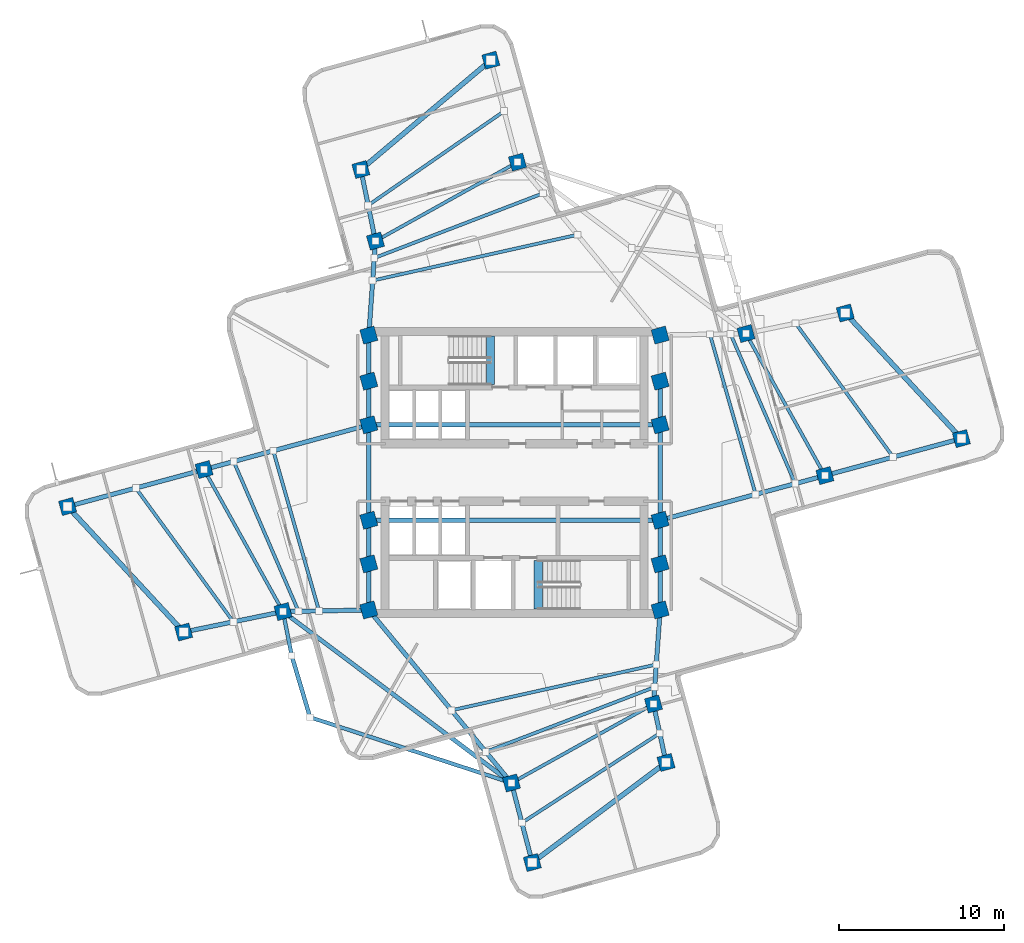
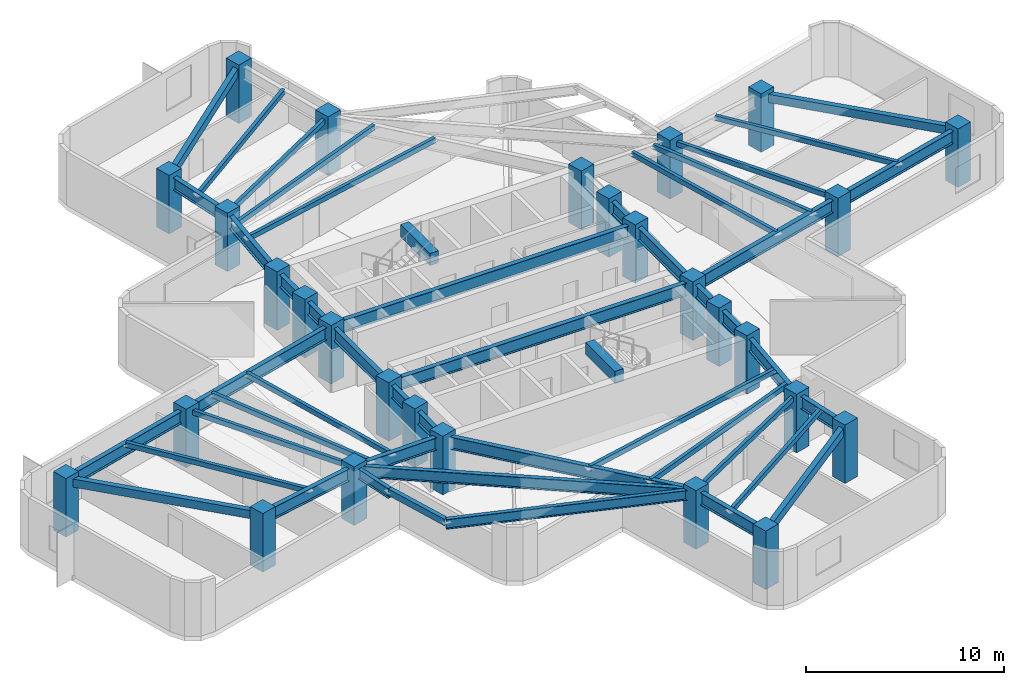
# One storey, part 1 of 8: 49 beams, 28 columns.
"""IFC4 building model written with IfcOpenShell, lengths in metres."""

import ifcopenshell
import ifcopenshell.guid

model = None  # the IFC model being written
_history = None  # IfcOwnerHistory: only IFC2X3 demands one
_inside = {}  # id of a spatial element -> (the spatial element, [elements in it])
_under = {}  # id of a project, library or spatial element -> (it, [spatial elements below it])
_declared = {}  # id of a project -> (the project, [libraries it declares])
_typed = {}  # id of a type object -> (the type object, [elements of that type])
_made_of = {}  # id of a material, layer set ... -> (it, [elements and type objects made of it])


def new_model(schema):
    """Start an empty IFC model of exactly this schema.

    Asked for "IFC4X3", IfcOpenShell would pick the latest addendum, in which some entities
    have other attributes; the version numbers below select the first issue.
    IFC2X3 requires an IfcOwnerHistory on every rooted entity: one is made here for all.
    """
    global model, _history
    if schema == "IFC4X3":
        model = ifcopenshell.file(schema_version=(4, 3, 0, 0))
    else:
        model = ifcopenshell.file(schema=schema)
    _inside.clear()
    _under.clear()
    _declared.clear()
    _typed.clear()
    _made_of.clear()
    _history = None
    if model.schema == "IFC2X3":
        org = make("IfcOrganization", Name="unknown")
        user = make(
            "IfcPersonAndOrganization",
            ThePerson=make("IfcPerson", FamilyName="unknown"),
            TheOrganization=org,
        )
        app = make(
            "IfcApplication",
            ApplicationDeveloper=org,
            Version="unknown",
            ApplicationFullName="unknown",
            ApplicationIdentifier="unknown",
        )
        _history = make(
            "IfcOwnerHistory",
            OwningUser=user,
            OwningApplication=app,
            ChangeAction="ADDED",
            CreationDate=0,
        )
    return model


def make(cls, **values):
    """One entity of the class cls with the attributes given. An attribute that is None is left unset."""
    return model.create_entity(
        cls, **{name: value for name, value in values.items() if value is not None}
    )


def rooted(cls, **values):
    """An entity with a GlobalId (a new one), such as an element, a storey or a relation."""
    return make(cls, GlobalId=ifcopenshell.guid.new(), OwnerHistory=_history, **values)


def si_unit(unit_type, name, prefix=None):
    """IfcSIUnit, for example si_unit("LENGTHUNIT", "METRE", prefix="MILLI")."""
    return make("IfcSIUnit", UnitType=unit_type, Prefix=prefix, Name=name)


def assignment(units):
    """IfcUnitAssignment: the units of a project."""
    return None if units is None else make("IfcUnitAssignment", Units=units)


def point(xyz):
    """IfcCartesianPoint."""
    return None if xyz is None else make("IfcCartesianPoint", Coordinates=xyz)


def direction(xyz):
    """IfcDirection."""
    return None if xyz is None else make("IfcDirection", DirectionRatios=xyz)


def frame(location, z_axis=None, x_axis=None):
    """IfcAxis2Placement3D, a coordinate frame: its origin and axes. An axis left out is left unset."""
    return make(
        "IfcAxis2Placement3D",
        Location=point(location),
        Axis=direction(z_axis),
        RefDirection=direction(x_axis),
    )


def frame_2d(location, x_axis=None):
    """IfcAxis2Placement2D, a coordinate frame in the plane: its origin and x axis."""
    return make(
        "IfcAxis2Placement2D", Location=point(location), RefDirection=direction(x_axis)
    )


def origin():
    """The frame at (0, 0, 0) with its axes left unset."""
    return frame((0.0, 0.0, 0.0))


def origin_2d():
    """The frame at (0, 0) in the plane with its x axis left unset."""
    return frame_2d((0.0, 0.0))


def place(relative_to, where):
    """IfcLocalPlacement: puts the frame where relative to a parent placement (None: the world)."""
    return make(
        "IfcLocalPlacement", PlacementRelTo=relative_to, RelativePlacement=where
    )


def context(
    kind, dimensions, precision=None, world=None, true_north=None, identifier=None
):
    """IfcGeometricRepresentationContext, for example the 3D "Model" context."""
    return make(
        "IfcGeometricRepresentationContext",
        ContextIdentifier=identifier,
        ContextType=kind,
        CoordinateSpaceDimension=dimensions,
        Precision=precision,
        WorldCoordinateSystem=world,
        TrueNorth=true_north,
    )


def subcontext(parent, identifier, kind, view, scale=None):
    """IfcGeometricRepresentationSubContext, for example "Body" below "Model"."""
    return make(
        "IfcGeometricRepresentationSubContext",
        ContextIdentifier=identifier,
        ContextType=kind,
        ParentContext=parent,
        TargetScale=scale,
        TargetView=view,
    )


def project(units=None, contexts=None):
    """IfcProject with its units and contexts."""
    return rooted(
        "IfcProject",
        Name="project",
        RepresentationContexts=contexts,
        UnitsInContext=assignment(units),
    )


def spatial(cls, under=None, at=None, **own):
    """A site, building, storey or space (cls), placed at a placement, below another one or the project."""
    s = rooted(cls, ObjectPlacement=at, **own)
    if under is not None:
        _under.setdefault(under.id(), (under, []))[1].append(s)
    return s


def profile(cls, at=None, kind="AREA", **sizes):
    """A parametric profile (cls). Its sizes go by their IFC names, for example OverallWidth=200.0."""
    return make(cls, ProfileType=kind, Position=at, **sizes)


def rectangle(**sizes):
    """IfcRectangleProfileDef."""
    return profile("IfcRectangleProfileDef", **sizes)


def hollow_rectangle(**sizes):
    """IfcRectangleHollowProfileDef."""
    return profile("IfcRectangleHollowProfileDef", **sizes)


def i_section(**sizes):
    """IfcIShapeProfileDef."""
    return profile("IfcIShapeProfileDef", **sizes)


def extrude(swept, where, along, depth):
    """IfcExtrudedAreaSolid: the profile swept, set in the frame where, extruded along a direction by depth."""
    return make(
        "IfcExtrudedAreaSolid",
        SweptArea=swept,
        Position=where,
        ExtrudedDirection=direction(along),
        Depth=depth,
    )


def shape(context_of_items, identifier, shape_type, items):
    """IfcShapeRepresentation: the items that make up one representation, for example the "Body"."""
    return make(
        "IfcShapeRepresentation",
        ContextOfItems=context_of_items,
        RepresentationIdentifier=identifier,
        RepresentationType=shape_type,
        Items=items,
    )


def material(Name=None, Category=None):
    """IfcMaterial."""
    return make("IfcMaterial", Name=Name, Category=Category)


def material_profile(
    of_material, cross_section, Name=None, Category=None, Priority=None
):
    """IfcMaterialProfile: a cross section and its material."""
    return make(
        "IfcMaterialProfile",
        Name=Name,
        Material=of_material,
        Profile=cross_section,
        Priority=Priority,
        Category=Category,
    )


def profile_set(profiles, Name=None, composite=None):
    """IfcMaterialProfileSet."""
    return make(
        "IfcMaterialProfileSet",
        Name=Name,
        MaterialProfiles=profiles,
        CompositeProfile=composite,
    )


def made_of(thing, what):
    """Note that an element or type object is made of a material, layer set ...; save() writes the relation."""
    if what is not None:
        _made_of.setdefault(what.id(), (what, []))[1].append(thing)
    return thing


def type_object(cls, material=None, **own):
    """A type object (cls), such as IfcWallType, which elements share."""
    return made_of(rooted(cls, **own), material)


def element(
    cls,
    number,
    at=None,
    inside=None,
    cuts=None,
    type_object=None,
    material=None,
    context=None,
    identifier="Body",
    shape_type=None,
    held_by="IfcProductDefinitionShape",
    body=None,
    shapes=None,
    **own,
):
    """One element of the class cls, such as IfcWall. Its Tag is "e" and its number.

    at: its placement. inside: the storey or other place that contains it. cuts: it is an
    opening in that element (IfcRelVoidsElement). A single representation is given by context,
    identifier, shape_type and body (its items); several are given by shapes. held_by: the class
    of the entity that holds the representations. save() writes the other relations.
    """
    e = rooted(cls, Tag="e%d" % number, ObjectPlacement=at, **own)
    if body is not None:
        shapes = [shape(context, identifier, shape_type, body)]
    if shapes is not None:
        e.Representation = make(held_by, Representations=shapes)
    if inside is not None:
        _inside.setdefault(inside.id(), (inside, []))[1].append(e)
    if cuts is not None:
        rooted(
            "IfcRelVoidsElement", RelatingBuildingElement=cuts, RelatedOpeningElement=e
        )
    if type_object is not None:
        _typed.setdefault(type_object.id(), (type_object, []))[1].append(e)
    return made_of(e, material)


def aggregate(whole, parts):
    """IfcRelAggregates: a whole, such as a stair, and the parts it consists of."""
    return rooted("IfcRelAggregates", RelatingObject=whole, RelatedObjects=parts)


def save(model, path):
    """Write the relations noted so far, then the file.

    IfcRelAggregates (storeys below a building ...), IfcRelContainedInSpatialStructure (elements
    in a storey), IfcRelDefinesByType, IfcRelAssociatesMaterial and IfcRelDeclares: one each for
    every whole, place, type object, material and project.
    """
    for whole, parts in _under.values():
        aggregate(whole, parts)
    for where, things in _inside.values():
        rooted(
            "IfcRelContainedInSpatialStructure",
            RelatedElements=things,
            RelatingStructure=where,
        )
    for kind, things in _typed.values():
        rooted("IfcRelDefinesByType", RelatedObjects=things, RelatingType=kind)
    for what, things in _made_of.values():
        rooted("IfcRelAssociatesMaterial", RelatedObjects=things, RelatingMaterial=what)
    for by, libraries in _declared.values():
        rooted("IfcRelDeclares", RelatingContext=by, RelatedDefinitions=libraries)
    model.write(path)


model = new_model("IFC4")

# Units and contexts
model_context = context("Model", 3, precision=1e-05, world=origin(), true_north=direction((0.0, 1.0)))
body_context = subcontext(model_context, "Body", "Model", "MODEL_VIEW")
ifc_project = project(units=[si_unit("LENGTHUNIT", "METRE"), si_unit("AREAUNIT", "SQUARE_METRE"), si_unit("VOLUMEUNIT", "CUBIC_METRE"), si_unit("PLANEANGLEUNIT", "RADIAN"), si_unit("MASSUNIT", "GRAM", prefix="KILO")], contexts=[model_context])

# Site, building, storey
site_placement = place(None, origin())
site = spatial("IfcSite", under=ifc_project, at=site_placement, CompositionType="ELEMENT")
building_placement = place(site_placement, origin())
building = spatial("IfcBuilding", under=site, at=building_placement, Name="Solmarez Civic Tower", CompositionType="ELEMENT")
storey_placement = place(building_placement, frame((0.0, 0.0, 137.8798828125)))
storey = spatial("IfcBuildingStorey", under=building, at=storey_placement, Name="L36", CompositionType="ELEMENT", Elevation=137.8798828125)

# Columns
ifc_material_1 = material(Name="Concrete C50/60", Category="concrete")
ifc_material_profile_1 = material_profile(ifc_material_1, rectangle(XDim=0.89990234375, YDim=0.89990234375, at=origin_2d()), Name="RC900X900")
ifc_profile_set_1 = profile_set([ifc_material_profile_1], Name="Concrete C50/60")
column_type = type_object("IfcColumnType", Name="COL-RC900", PredefinedType="COLUMN", material=ifc_profile_set_1)
for number, where, z_axis, x_axis, name in (
    (1, (-8.85009765625, -5.550048828125, 0.0), (0.0, 0.0, 1.0), (0.964095404234, 0.265556117487, 0.0), "L36 Structural Column HC1"),
    (2, (-8.85009765625, -2.89990234375, 0.0), (0.0, 0.0, 1.0), (0.964095404234, 0.265556117487, 0.0), "L36 Structural Column HC2"),
    (3, (-8.85009765625, 2.89990234375, 0.0), (0.0, 0.0, 1.0), (0.964095404234, 0.265556117487, 0.0), "L36 Structural Column HC3"),
    (4, (-8.85009765625, 5.550048828125, 0.0), (0.0, 0.0, 1.0), (0.964095404234, 0.265556117487, 0.0), "L36 Structural Column HC4"),
    (5, (8.85009765625, -5.550048828125, 0.0), (0.0, 0.0, 1.0), (0.964095404234, 0.265556117487, 0.0), "L36 Structural Column HC5"),
    (6, (8.85009765625, -2.89990234375, 0.0), (0.0, 0.0, 1.0), (0.964095404234, 0.265556117487, 0.0), "L36 Structural Column HC6"),
    (7, (8.85009765625, 2.89990234375, 0.0), (0.0, 0.0, 1.0), (0.964095404234, 0.265556117487, 0.0), "L36 Structural Column HC7"),
    (8, (8.85009765625, 5.550048828125, 0.0), (0.0, 0.0, 1.0), (0.964095404234, 0.265556117487, 0.0), "L36 Structural Column HC8"),
    (9, (-8.85009765625, 8.35009765625, 0.0), (0.0, 0.0, 1.0), (0.964095404234, 0.265556117487, 0.0), "L36 Structural Column HC9"),
    (10, (8.85009765625, -8.35009765625, 0.0), (0.0, 0.0, 1.0), (0.964095404234, 0.265556117487, 0.0), "L36 Structural Column HC10"),
    (11, (8.85009765625, 8.35009765625, 0.0), (0.0, 0.0, 1.0), (0.964095404234, 0.265556117487, 0.0), "L36 Structural Column HC11"),
    (12, (-8.85009765625, -8.35009765625, 0.0), (0.0, 0.0, 1.0), (0.964095404234, 0.265556117487, 0.0), "L36 Structural Column HC12"),
    (13, (18.860107421875, -0.18310546875, 0.0), (0.0, 0.0, 1.0), (0.964095404234, 0.265556117487, 0.0), "L36 Structural Column EA11"),
    (14, (14.06396484375, 8.445068359375, 0.0), (0.0, 0.0, 1.0), (0.964095404234, 0.265556117487, 0.0), "L36 Structural Column EA12"),
    (15, (27.153076171875, 2.06396484375, 0.0), (0.0, 0.0, 1.0), (0.964095404234, 0.265556117487, 0.0), "L36 Structural Column EA21"),
    (16, (20.097900390625, 9.69189453125, 0.0), (0.0, 0.0, 1.0), (0.964095404234, 0.265556117487, 0.0), "L36 Structural Column EA22"),
    (17, (0.18310546875, 18.860107421875, 0.0), (0.0, 0.0, 1.0), (0.964095404234, 0.265556117487, 0.0), "L36 Structural Column NA11"),
    (18, (-8.445068359375, 14.06396484375, 0.0), (0.0, 0.0, 1.0), (0.964095404234, 0.265556117487, 0.0), "L36 Structural Column NA12"),
    (19, (-1.43701171875, 25.052001953125, 0.0), (0.0, 0.0, 1.0), (0.964095404234, 0.265556117487, 0.0), "L36 Structural Column NA21"),
    (20, (-9.3330078125, 18.408935546875, 0.0), (0.0, 0.0, 1.0), (0.964095404234, 0.265556117487, 0.0), "L36 Structural Column NA22"),
    (21, (-18.860107421875, 0.18310546875, 0.0), (0.0, 0.0, 1.0), (0.964095404234, 0.265556117487, 0.0), "L36 Structural Column WA11"),
    (22, (-14.06396484375, -8.445068359375, 0.0), (0.0, 0.0, 1.0), (0.964095404234, 0.265556117487, 0.0), "L36 Structural Column WA12"),
    (23, (-27.153076171875, -2.06396484375, 0.0), (0.0, 0.0, 1.0), (0.964095404234, 0.265556117487, 0.0), "L36 Structural Column WA21"),
    (24, (-20.097900390625, -9.69189453125, 0.0), (0.0, 0.0, 1.0), (0.964095404234, 0.265556117487, 0.0), "L36 Structural Column WA22"),
    (25, (-0.18310546875, -18.860107421875, 0.0), (0.0, 0.0, 1.0), (0.964095404234, 0.265556117487, 0.0), "L36 Structural Column SA11"),
    (26, (8.445068359375, -14.06396484375, 0.0), (0.0, 0.0, 1.0), (0.964095404234, 0.265556117487, 0.0), "L36 Structural Column SA12"),
    (27, (1.0830078125, -23.697021484375, 0.0), (0.0, 0.0, 1.0), (0.964095404234, 0.265556117487, 0.0), "L36 Structural Column SA21"),
    (28, (9.2080078125, -17.614990234375, 0.0), (0.0, 0.0, 1.0), (0.964095404234, 0.265556117487, 0.0), "L36 Structural Column SA22"),
):
    element("IfcColumn", number, at=place(storey_placement, frame(where, z_axis=z_axis, x_axis=x_axis)), inside=storey, type_object=column_type, Name=name, PredefinedType="COLUMN", context=body_context, shape_type="SweptSolid", body=[
        extrude(rectangle(XDim=0.89990234375, YDim=0.89990234375, at=origin_2d()), origin(), (0.0, 0.0, 1.0), 3.60009765625),
    ])

# Beams
ifc_material_2 = material(Name="Steel S355", Category="steel")
ifc_material_profile_2 = material_profile(ifc_material_2, hollow_rectangle(XDim=0.199951171875, YDim=0.300048828125, WallThickness=0.011962890625, at=origin_2d()), Name="HSS300X200X12")
ifc_profile_set_2 = profile_set([ifc_material_profile_2], Name="Steel S355")
beam_type_1 = type_object("IfcBeamType", Name="BM-JS-HSS300X200", PredefinedType="JOIST", material=ifc_profile_set_2)
beam_1_placement = place(storey_placement, frame((18.860107421875, -0.18310546875, 3.170166015625), z_axis=(-0.485852902718, 0.874040592261, 0.0), x_axis=(-0.874040592261, -0.485852902718, 0.0)))
element("IfcBeam", 29, at=beam_1_placement, inside=storey, type_object=beam_type_1, Name="L36 Secondary Floor Joist BM-L36-EA-T1", PredefinedType="JOIST", context=body_context, shape_type="SweptSolid", body=[
    extrude(hollow_rectangle(XDim=0.199951171875, YDim=0.300048828125, WallThickness=0.011962890625, at=origin_2d()), origin(), (0.0, 0.0, 1.0), 9.87158203125),
])
beam_2_placement = place(storey_placement, frame((23.006103515625, 0.94091796875, 3.170166015625), z_axis=(-0.589058914091, 0.808090091345, 0.0), x_axis=(-0.808090091345, -0.589058914091, 0.0)))
element("IfcBeam", 30, at=beam_2_placement, inside=storey, type_object=beam_type_1, Name="L36 Secondary Floor Joist JS-L36-EA-M2", PredefinedType="JOIST", context=body_context, shape_type="SweptSolid", body=[
    extrude(hollow_rectangle(XDim=0.199951171875, YDim=0.300048828125, WallThickness=0.011962890625, at=origin_2d()), origin(), (0.0, 0.0, 1.0), 10.05859375),
])
beam_3_placement = place(storey_placement, frame((14.656005859375, -1.323974609375, 3.170166015625), z_axis=(-0.27492825036, 0.961464745664, 0.0), x_axis=(-0.961464745664, -0.27492825036, 0.0)))
element("IfcBeam", 31, at=beam_3_placement, inside=storey, type_object=beam_type_1, Name="L36 Secondary Floor Joist JS-L36-EA-M11", PredefinedType="JOIST", context=body_context, shape_type="SweptSolid", body=[
    extrude(hollow_rectangle(XDim=0.199951171875, YDim=0.300048828125, WallThickness=0.011962890625, at=origin_2d()), origin(), (0.0, 0.0, 1.0), 10.118896484375),
])
beam_4_placement = place(storey_placement, frame((17.05810546875, -0.672119140625, 3.170166015625), z_axis=(-0.396735074316, 0.917933157048, 0.0), x_axis=(-0.917933157048, -0.396735074316, 0.0)))
element("IfcBeam", 32, at=beam_4_placement, inside=storey, type_object=beam_type_1, Name="L36 Secondary Floor Joist JS-L36-EA-M12", PredefinedType="JOIST", context=body_context, shape_type="SweptSolid", body=[
    extrude(hollow_rectangle(XDim=0.199951171875, YDim=0.300048828125, WallThickness=0.011962890625, at=origin_2d()), origin(), (0.0, 0.0, 1.0), 9.91357421875),
])
beam_5_placement = place(storey_placement, frame((0.18310546875, 18.860107421875, 3.170166015625), z_axis=(-0.874040592261, -0.485852902718, 0.0), x_axis=(0.485852902718, -0.874040592261, 0.0)))
element("IfcBeam", 33, at=beam_5_placement, inside=storey, type_object=beam_type_1, Name="L36 Secondary Floor Joist BM-L36-NA-T1", PredefinedType="JOIST", context=body_context, shape_type="SweptSolid", body=[
    extrude(hollow_rectangle(XDim=0.199951171875, YDim=0.300048828125, WallThickness=0.011962890625, at=origin_2d()), origin(), (0.0, 0.0, 1.0), 9.87158203125),
])
beam_6_placement = place(storey_placement, frame((-0.626953125, 21.9560546875, 3.170166015625), z_axis=(-0.822185194468, -0.56922008573, 0.0), x_axis=(0.56922008573, -0.822185194468, 0.0)))
element("IfcBeam", 34, at=beam_6_placement, inside=storey, type_object=beam_type_1, Name="L36 Secondary Floor Joist JS-L36-NA-M2", PredefinedType="JOIST", context=body_context, shape_type="SweptSolid", body=[
    extrude(hollow_rectangle(XDim=0.199951171875, YDim=0.300048828125, WallThickness=0.011962890625, at=origin_2d()), origin(), (0.0, 0.0, 1.0), 10.048828125),
])
beam_7_placement = place(storey_placement, frame((3.822998046875, 14.446044921875, 3.170166015625), z_axis=(-0.975887310906, -0.218274955988, 0.0), x_axis=(0.218274955988, -0.975887310906, 0.0)))
element("IfcBeam", 35, at=beam_7_placement, inside=storey, type_object=beam_type_1, Name="L36 Secondary Floor Joist JS-L36-NA-M11", PredefinedType="JOIST", context=body_context, shape_type="SweptSolid", body=[
    extrude(hollow_rectangle(XDim=0.199951171875, YDim=0.300048828125, WallThickness=0.011962890625, at=origin_2d()), origin(), (0.0, 0.0, 1.0), 12.745361328125),
])
beam_8_placement = place(storey_placement, frame((1.742919921875, 16.968017578125, 3.170166015625), z_axis=(-0.933754408709, -0.357914381125, 0.0), x_axis=(0.357914381125, -0.933754408709, 0.0)))
element("IfcBeam", 36, at=beam_8_placement, inside=storey, type_object=beam_type_1, Name="L36 Secondary Floor Joist JS-L36-NA-M12", PredefinedType="JOIST", context=body_context, shape_type="SweptSolid", body=[
    extrude(hollow_rectangle(XDim=0.199951171875, YDim=0.300048828125, WallThickness=0.011962890625, at=origin_2d()), origin(), (0.0, 0.0, 1.0), 10.989013671875),
])
beam_9_placement = place(storey_placement, frame((-18.860107421875, 0.18310546875, 3.170166015625), z_axis=(0.485852902718, -0.874040592261, 0.0), x_axis=(0.874040592261, 0.485852902718, 0.0)))
element("IfcBeam", 37, at=beam_9_placement, inside=storey, type_object=beam_type_1, Name="L36 Secondary Floor Joist BM-L36-WA-T1", PredefinedType="JOIST", context=body_context, shape_type="SweptSolid", body=[
    extrude(hollow_rectangle(XDim=0.199951171875, YDim=0.300048828125, WallThickness=0.011962890625, at=origin_2d()), origin(), (0.0, 0.0, 1.0), 9.87158203125),
])
beam_10_placement = place(storey_placement, frame((-23.006103515625, -0.94091796875, 3.170166015625), z_axis=(0.589058914091, -0.808090091345, 0.0), x_axis=(0.808090091345, 0.589058914091, 0.0)))
element("IfcBeam", 38, at=beam_10_placement, inside=storey, type_object=beam_type_1, Name="L36 Secondary Floor Joist JS-L36-WA-M2", PredefinedType="JOIST", context=body_context, shape_type="SweptSolid", body=[
    extrude(hollow_rectangle(XDim=0.199951171875, YDim=0.300048828125, WallThickness=0.011962890625, at=origin_2d()), origin(), (0.0, 0.0, 1.0), 10.05859375),
])
beam_11_placement = place(storey_placement, frame((-14.656005859375, 1.323974609375, 3.170166015625), z_axis=(0.27492825036, -0.961464745664, 0.0), x_axis=(0.961464745664, 0.27492825036, 0.0)))
element("IfcBeam", 39, at=beam_11_placement, inside=storey, type_object=beam_type_1, Name="L36 Secondary Floor Joist JS-L36-WA-M11", PredefinedType="JOIST", context=body_context, shape_type="SweptSolid", body=[
    extrude(hollow_rectangle(XDim=0.199951171875, YDim=0.300048828125, WallThickness=0.011962890625, at=origin_2d()), origin(), (0.0, 0.0, 1.0), 10.118896484375),
])
beam_12_placement = place(storey_placement, frame((-17.05810546875, 0.672119140625, 3.170166015625), z_axis=(0.396735074316, -0.917933157048, 0.0), x_axis=(0.917933157048, 0.396735074316, 0.0)))
element("IfcBeam", 40, at=beam_12_placement, inside=storey, type_object=beam_type_1, Name="L36 Secondary Floor Joist JS-L36-WA-M12", PredefinedType="JOIST", context=body_context, shape_type="SweptSolid", body=[
    extrude(hollow_rectangle(XDim=0.199951171875, YDim=0.300048828125, WallThickness=0.011962890625, at=origin_2d()), origin(), (0.0, 0.0, 1.0), 9.91357421875),
])
beam_13_placement = place(storey_placement, frame((-0.18310546875, -18.860107421875, 3.170166015625), z_axis=(0.874040592261, 0.485852902718, 0.0), x_axis=(-0.485852902718, 0.874040592261, 0.0)))
element("IfcBeam", 41, at=beam_13_placement, inside=storey, type_object=beam_type_1, Name="L36 Secondary Floor Joist BM-L36-SA-T1", PredefinedType="JOIST", context=body_context, shape_type="SweptSolid", body=[
    extrude(hollow_rectangle(XDim=0.199951171875, YDim=0.300048828125, WallThickness=0.011962890625, at=origin_2d()), origin(), (0.0, 0.0, 1.0), 9.87158203125),
])
beam_14_placement = place(storey_placement, frame((0.449951171875, -21.279052734375, 3.170166015625), z_axis=(0.83864684805, 0.54467555871, 0.0), x_axis=(-0.54467555871, 0.83864684805, 0.0)))
element("IfcBeam", 42, at=beam_14_placement, inside=storey, type_object=beam_type_1, Name="L36 Secondary Floor Joist JS-L36-SA-M2", PredefinedType="JOIST", context=body_context, shape_type="SweptSolid", body=[
    extrude(hollow_rectangle(XDim=0.199951171875, YDim=0.300048828125, WallThickness=0.011962890625, at=origin_2d()), origin(), (0.0, 0.0, 1.0), 9.987548828125),
])
beam_15_placement = place(storey_placement, frame((-3.822998046875, -14.446044921875, 3.170166015625), z_axis=(0.975887310906, 0.218274955988, 0.0), x_axis=(-0.218274955988, 0.975887310906, 0.0)))
element("IfcBeam", 43, at=beam_15_placement, inside=storey, type_object=beam_type_1, Name="L36 Secondary Floor Joist JS-L36-SA-M11", PredefinedType="JOIST", context=body_context, shape_type="SweptSolid", body=[
    extrude(hollow_rectangle(XDim=0.199951171875, YDim=0.300048828125, WallThickness=0.011962890625, at=origin_2d()), origin(), (0.0, 0.0, 1.0), 12.745361328125),
])
beam_16_placement = place(storey_placement, frame((-1.742919921875, -16.968017578125, 3.170166015625), z_axis=(0.933754408709, 0.357914381125, 0.0), x_axis=(-0.357914381125, 0.933754408709, 0.0)))
element("IfcBeam", 44, at=beam_16_placement, inside=storey, type_object=beam_type_1, Name="L36 Secondary Floor Joist JS-L36-SA-M12", PredefinedType="JOIST", context=body_context, shape_type="SweptSolid", body=[
    extrude(hollow_rectangle(XDim=0.199951171875, YDim=0.300048828125, WallThickness=0.011962890625, at=origin_2d()), origin(), (0.0, 0.0, 1.0), 10.989013671875),
])
ifc_material_profile_3 = material_profile(ifc_material_1, rectangle(XDim=0.5, YDim=0.75, at=origin_2d()), Name="RC500X750")
ifc_profile_set_3 = profile_set([ifc_material_profile_3], Name="Concrete C50/60")
beam_type_2 = type_object("IfcBeamType", Name="BM-PR-RC500X750", PredefinedType="BEAM", material=ifc_profile_set_3)
for number, where, z_axis, x_axis, name in (
    (45, (-1.449951171875, 5.340087890625, 3.233154296875), (0.0, 1.0, 0.0), (-1.0, 0.0, 0.0), "L36 North Stair Threshold Beam"),
    (46, (1.449951171875, -8.300048828125, 3.233154296875), (0.0, 1.0, 0.0), (-1.0, 0.0, 0.0), "L36 South Stair Threshold Beam"),
):
    element("IfcBeam", number, at=place(storey_placement, frame(where, z_axis=z_axis, x_axis=x_axis)), inside=storey, type_object=beam_type_2, Name=name, PredefinedType="BEAM", context=body_context, shape_type="SweptSolid", body=[
        extrude(rectangle(XDim=0.5, YDim=0.75, at=origin_2d()), origin(), (0.0, 0.0, 1.0), 2.9599609375),
    ])
ifc_material_profile_4 = material_profile(ifc_material_2, i_section(OverallWidth=0.25390625, OverallDepth=0.68798828125, WebThickness=0.01318359375, FlangeThickness=0.02099609375, at=origin_2d()), Name="W27X102")
ifc_profile_set_4 = profile_set([ifc_material_profile_4], Name="Steel S355")
beam_type_3 = type_object("IfcBeamType", Name="BM-PR-W27X102", PredefinedType="BEAM", material=ifc_profile_set_4)
beam_17_placement = place(storey_placement, frame((-14.06396484375, -8.445068359375, 2.97607421875), z_axis=(0.799878431775, -0.600162056766, 0.0), x_axis=(0.600162056766, 0.799878431775, 0.0)))
element("IfcBeam", 47, at=beam_17_placement, inside=storey, type_object=beam_type_3, Name="L36 Primary Floor Beam BM-L36-BALC-SWC", PredefinedType="BEAM", context=body_context, shape_type="SweptSolid", body=[
    extrude(i_section(OverallWidth=0.25390625, OverallDepth=0.68798828125, WebThickness=0.01318359375, FlangeThickness=0.02099609375, at=origin_2d()), origin(), (0.0, 0.0, 1.0), 17.353759765625),
])
ifc_material_profile_5 = material_profile(ifc_material_2, i_section(OverallWidth=0.26708984375, OverallDepth=0.761962890625, WebThickness=0.014404296875, FlangeThickness=0.021484375, at=origin_2d()), Name="W30X116")
ifc_profile_set_5 = profile_set([ifc_material_profile_5], Name="Steel S355")
beam_type_4 = type_object("IfcBeamType", Name="BM-PR-W30X116", PredefinedType="BEAM", material=ifc_profile_set_5)
beam_18_placement = place(storey_placement, frame((-8.85009765625, -8.35009765625, 2.939208984375), z_axis=(0.0, 1.0, 0.0), x_axis=(-1.0, 0.0, 0.0)))
element("IfcBeam", 48, at=beam_18_placement, inside=storey, type_object=beam_type_4, Name="L36 Primary Floor Beam BM-L36-HC12-HC1", PredefinedType="BEAM", context=body_context, shape_type="SweptSolid", body=[
    extrude(i_section(OverallWidth=0.26708984375, OverallDepth=0.761962890625, WebThickness=0.014404296875, FlangeThickness=0.021484375, at=origin_2d()), origin(), (0.0, 0.0, 1.0), 2.800048828125),
])
beam_19_placement = place(storey_placement, frame((-8.85009765625, -5.550048828125, 2.939208984375), z_axis=(0.0, 1.0, 0.0), x_axis=(-1.0, 0.0, 0.0)))
element("IfcBeam", 49, at=beam_19_placement, inside=storey, type_object=beam_type_4, Name="L36 Primary Floor Beam BM-L36-HC1-HC2", PredefinedType="BEAM", context=body_context, shape_type="SweptSolid", body=[
    extrude(i_section(OverallWidth=0.26708984375, OverallDepth=0.761962890625, WebThickness=0.014404296875, FlangeThickness=0.021484375, at=origin_2d()), origin(), (0.0, 0.0, 1.0), 2.650146484375),
])
beam_20_placement = place(storey_placement, frame((-8.85009765625, -2.89990234375, 2.939208984375), z_axis=(0.0, 1.0, 0.0), x_axis=(-1.0, 0.0, 0.0)))
element("IfcBeam", 50, at=beam_20_placement, inside=storey, type_object=beam_type_4, Name="L36 Primary Floor Beam BM-L36-HC2-HC3", PredefinedType="BEAM", context=body_context, shape_type="SweptSolid", body=[
    extrude(i_section(OverallWidth=0.26708984375, OverallDepth=0.761962890625, WebThickness=0.014404296875, FlangeThickness=0.021484375, at=origin_2d()), origin(), (0.0, 0.0, 1.0), 5.7998046875),
])
beam_21_placement = place(storey_placement, frame((-8.85009765625, 2.89990234375, 2.939208984375), z_axis=(0.0, 1.0, 0.0), x_axis=(-1.0, 0.0, 0.0)))
element("IfcBeam", 51, at=beam_21_placement, inside=storey, type_object=beam_type_4, Name="L36 Primary Floor Beam BM-L36-HC3-HC4", PredefinedType="BEAM", context=body_context, shape_type="SweptSolid", body=[
    extrude(i_section(OverallWidth=0.26708984375, OverallDepth=0.761962890625, WebThickness=0.014404296875, FlangeThickness=0.021484375, at=origin_2d()), origin(), (0.0, 0.0, 1.0), 2.650146484375),
])
for number, where, z_axis, x_axis, name in (
    (52, (-8.85009765625, 5.550048828125, 2.939208984375), (0.0, 1.0, 0.0), (-1.0, 0.0, 0.0), "L36 Primary Floor Beam BM-L36-HC4-HC9"),
    (53, (8.85009765625, -8.35009765625, 2.939208984375), (0.0, 1.0, 0.0), (-1.0, 0.0, 0.0), "L36 Primary Floor Beam BM-L36-HC10-HC5"),
):
    element("IfcBeam", number, at=place(storey_placement, frame(where, z_axis=z_axis, x_axis=x_axis)), inside=storey, type_object=beam_type_4, Name=name, PredefinedType="BEAM", context=body_context, shape_type="SweptSolid", body=[
        extrude(i_section(OverallWidth=0.26708984375, OverallDepth=0.761962890625, WebThickness=0.014404296875, FlangeThickness=0.021484375, at=origin_2d()), origin(), (0.0, 0.0, 1.0), 2.800048828125),
    ])
beam_22_placement = place(storey_placement, frame((8.85009765625, -5.550048828125, 2.939208984375), z_axis=(0.0, 1.0, 0.0), x_axis=(-1.0, 0.0, 0.0)))
element("IfcBeam", 54, at=beam_22_placement, inside=storey, type_object=beam_type_4, Name="L36 Primary Floor Beam BM-L36-HC5-HC6", PredefinedType="BEAM", context=body_context, shape_type="SweptSolid", body=[
    extrude(i_section(OverallWidth=0.26708984375, OverallDepth=0.761962890625, WebThickness=0.014404296875, FlangeThickness=0.021484375, at=origin_2d()), origin(), (0.0, 0.0, 1.0), 2.650146484375),
])
beam_23_placement = place(storey_placement, frame((8.85009765625, -2.89990234375, 2.939208984375), z_axis=(0.0, 1.0, 0.0), x_axis=(-1.0, 0.0, 0.0)))
element("IfcBeam", 55, at=beam_23_placement, inside=storey, type_object=beam_type_4, Name="L36 Primary Floor Beam BM-L36-HC6-HC7", PredefinedType="BEAM", context=body_context, shape_type="SweptSolid", body=[
    extrude(i_section(OverallWidth=0.26708984375, OverallDepth=0.761962890625, WebThickness=0.014404296875, FlangeThickness=0.021484375, at=origin_2d()), origin(), (0.0, 0.0, 1.0), 5.7998046875),
])
beam_24_placement = place(storey_placement, frame((8.85009765625, 2.89990234375, 2.939208984375), z_axis=(0.0, 1.0, 0.0), x_axis=(-1.0, 0.0, 0.0)))
element("IfcBeam", 56, at=beam_24_placement, inside=storey, type_object=beam_type_4, Name="L36 Primary Floor Beam BM-L36-HC7-HC8", PredefinedType="BEAM", context=body_context, shape_type="SweptSolid", body=[
    extrude(i_section(OverallWidth=0.26708984375, OverallDepth=0.761962890625, WebThickness=0.014404296875, FlangeThickness=0.021484375, at=origin_2d()), origin(), (0.0, 0.0, 1.0), 2.650146484375),
])
for number, where, z_axis, x_axis, name in (
    (57, (-8.85009765625, -2.89990234375, 2.939208984375), (1.0, 0.0, 0.0), (0.0, 1.0, 0.0), "L36 Primary Floor Beam BM-L36-HC2-HC6"),
    (58, (-8.85009765625, 2.89990234375, 2.939208984375), (1.0, 0.0, 0.0), (0.0, 1.0, 0.0), "L36 Primary Floor Beam BM-L36-HC3-HC7"),
):
    element("IfcBeam", number, at=place(storey_placement, frame(where, z_axis=z_axis, x_axis=x_axis)), inside=storey, type_object=beam_type_4, Name=name, PredefinedType="BEAM", context=body_context, shape_type="SweptSolid", body=[
        extrude(i_section(OverallWidth=0.26708984375, OverallDepth=0.761962890625, WebThickness=0.014404296875, FlangeThickness=0.021484375, at=origin_2d()), origin(), (0.0, 0.0, 1.0), 17.7001953125),
    ])
beam_25_placement = place(storey_placement, frame((8.85009765625, -2.89990234375, 2.939208984375), z_axis=(0.965086289853, 0.261932153691, 0.0), x_axis=(-0.261932153691, 0.965086289853, 0.0)))
element("IfcBeam", 59, at=beam_25_placement, inside=storey, type_object=beam_type_4, Name="L36 Primary Floor Beam BM-L36-EA-R1A", PredefinedType="BEAM", context=body_context, shape_type="SweptSolid", body=[
    extrude(i_section(OverallWidth=0.26708984375, OverallDepth=0.761962890625, WebThickness=0.014404296875, FlangeThickness=0.021484375, at=origin_2d()), origin(), (0.0, 0.0, 1.0), 10.3720703125),
])
beam_26_placement = place(storey_placement, frame((18.860107421875, -0.18310546875, 2.939208984375), z_axis=(0.965195296066, 0.261530190326, 0.0), x_axis=(-0.261530190326, 0.965195296066, 0.0)))
element("IfcBeam", 60, at=beam_26_placement, inside=storey, type_object=beam_type_4, Name="L36 Primary Floor Beam BM-L36-EA-R2A", PredefinedType="BEAM", context=body_context, shape_type="SweptSolid", body=[
    extrude(i_section(OverallWidth=0.26708984375, OverallDepth=0.761962890625, WebThickness=0.014404296875, FlangeThickness=0.021484375, at=origin_2d()), origin(), (0.0, 0.0, 1.0), 8.592041015625),
])
beam_27_placement = place(storey_placement, frame((-8.85009765625, 8.35009765625, 2.939208984375), z_axis=(0.070707897353, 0.997497064282, 0.0), x_axis=(-0.997497064282, 0.070707897353, 0.0)))
element("IfcBeam", 61, at=beam_27_placement, inside=storey, type_object=beam_type_4, Name="L36 Primary Floor Beam BM-L36-NA-R1B", PredefinedType="BEAM", context=body_context, shape_type="SweptSolid", body=[
    extrude(i_section(OverallWidth=0.26708984375, OverallDepth=0.761962890625, WebThickness=0.014404296875, FlangeThickness=0.021484375, at=origin_2d()), origin(), (0.0, 0.0, 1.0), 5.728271484375),
])
beam_28_placement = place(storey_placement, frame((-8.445068359375, 14.06396484375, 2.939208984375), z_axis=(-0.200222099018, 0.979750535118, 0.0), x_axis=(-0.979750535118, -0.200222099018, 0.0)))
element("IfcBeam", 62, at=beam_28_placement, inside=storey, type_object=beam_type_4, Name="L36 Primary Floor Beam BM-L36-NA-R2B", PredefinedType="BEAM", context=body_context, shape_type="SweptSolid", body=[
    extrude(i_section(OverallWidth=0.26708984375, OverallDepth=0.761962890625, WebThickness=0.014404296875, FlangeThickness=0.021484375, at=origin_2d()), origin(), (0.0, 0.0, 1.0), 4.434814453125),
])
beam_29_placement = place(storey_placement, frame((-8.85009765625, 2.89990234375, 2.939208984375), z_axis=(-0.965086289853, -0.261932153691, 0.0), x_axis=(0.261932153691, -0.965086289853, 0.0)))
element("IfcBeam", 63, at=beam_29_placement, inside=storey, type_object=beam_type_4, Name="L36 Primary Floor Beam BM-L36-WA-R1A", PredefinedType="BEAM", context=body_context, shape_type="SweptSolid", body=[
    extrude(i_section(OverallWidth=0.26708984375, OverallDepth=0.761962890625, WebThickness=0.014404296875, FlangeThickness=0.021484375, at=origin_2d()), origin(), (0.0, 0.0, 1.0), 10.3720703125),
])
beam_30_placement = place(storey_placement, frame((-8.85009765625, -8.35009765625, 2.939208984375), z_axis=(-0.999834147765, -0.018212000538, 0.0), x_axis=(0.018212000538, -0.999834147765, 0.0)))
element("IfcBeam", 64, at=beam_30_placement, inside=storey, type_object=beam_type_4, Name="L36 Primary Floor Beam BM-L36-WA-R1B", PredefinedType="BEAM", context=body_context, shape_type="SweptSolid", body=[
    extrude(i_section(OverallWidth=0.26708984375, OverallDepth=0.761962890625, WebThickness=0.014404296875, FlangeThickness=0.021484375, at=origin_2d()), origin(), (0.0, 0.0, 1.0), 5.21484375),
])
beam_31_placement = place(storey_placement, frame((-18.860107421875, 0.18310546875, 2.939208984375), z_axis=(-0.965195296066, -0.261530190326, 0.0), x_axis=(0.261530190326, -0.965195296066, 0.0)))
element("IfcBeam", 65, at=beam_31_placement, inside=storey, type_object=beam_type_4, Name="L36 Primary Floor Beam BM-L36-WA-R2A", PredefinedType="BEAM", context=body_context, shape_type="SweptSolid", body=[
    extrude(i_section(OverallWidth=0.26708984375, OverallDepth=0.761962890625, WebThickness=0.014404296875, FlangeThickness=0.021484375, at=origin_2d()), origin(), (0.0, 0.0, 1.0), 8.592041015625),
])
beam_32_placement = place(storey_placement, frame((-14.06396484375, -8.445068359375, 2.939208984375), z_axis=(-0.979311082476, -0.202360578523, 0.0), x_axis=(0.202360578523, -0.979311082476, 0.0)))
element("IfcBeam", 66, at=beam_32_placement, inside=storey, type_object=beam_type_4, Name="L36 Primary Floor Beam BM-L36-WA-R2B", PredefinedType="BEAM", context=body_context, shape_type="SweptSolid", body=[
    extrude(i_section(OverallWidth=0.26708984375, OverallDepth=0.761962890625, WebThickness=0.014404296875, FlangeThickness=0.021484375, at=origin_2d()), origin(), (0.0, 0.0, 1.0), 6.161376953125),
])
beam_33_placement = place(storey_placement, frame((-8.85009765625, -8.35009765625, 2.939208984375), z_axis=(0.636218453069, -0.77150896299, 0.0), x_axis=(0.77150896299, 0.636218453069, 0.0)))
element("IfcBeam", 67, at=beam_33_placement, inside=storey, type_object=beam_type_4, Name="L36 Primary Floor Beam BM-L36-SA-R1A", PredefinedType="BEAM", context=body_context, shape_type="SweptSolid", body=[
    extrude(i_section(OverallWidth=0.26708984375, OverallDepth=0.761962890625, WebThickness=0.014404296875, FlangeThickness=0.021484375, at=origin_2d()), origin(), (0.0, 0.0, 1.0), 13.62255859375),
])
beam_34_placement = place(storey_placement, frame((8.85009765625, -8.35009765625, 2.939208984375), z_axis=(-0.070707897353, -0.997497064282, 0.0), x_axis=(0.997497064282, -0.070707897353, 0.0)))
element("IfcBeam", 68, at=beam_34_placement, inside=storey, type_object=beam_type_4, Name="L36 Primary Floor Beam BM-L36-SA-R1B", PredefinedType="BEAM", context=body_context, shape_type="SweptSolid", body=[
    extrude(i_section(OverallWidth=0.26708984375, OverallDepth=0.761962890625, WebThickness=0.014404296875, FlangeThickness=0.021484375, at=origin_2d()), origin(), (0.0, 0.0, 1.0), 5.728271484375),
])
beam_35_placement = place(storey_placement, frame((-0.18310546875, -18.860107421875, 2.939208984375), z_axis=(0.253228832632, -0.967406408043, 0.0), x_axis=(0.967406408043, 0.253228832632, 0.0)))
element("IfcBeam", 69, at=beam_35_placement, inside=storey, type_object=beam_type_4, Name="L36 Primary Floor Beam BM-L36-SA-R2A", PredefinedType="BEAM", context=body_context, shape_type="SweptSolid", body=[
    extrude(i_section(OverallWidth=0.26708984375, OverallDepth=0.761962890625, WebThickness=0.014404296875, FlangeThickness=0.021484375, at=origin_2d()), origin(), (0.0, 0.0, 1.0), 5.0),
])
beam_36_placement = place(storey_placement, frame((8.445068359375, -14.06396484375, 2.939208984375), z_axis=(0.210056967216, -0.977689148208, 0.0), x_axis=(0.977689148208, 0.210056967216, 0.0)))
element("IfcBeam", 70, at=beam_36_placement, inside=storey, type_object=beam_type_4, Name="L36 Primary Floor Beam BM-L36-SA-R2B", PredefinedType="BEAM", context=body_context, shape_type="SweptSolid", body=[
    extrude(i_section(OverallWidth=0.26708984375, OverallDepth=0.761962890625, WebThickness=0.014404296875, FlangeThickness=0.021484375, at=origin_2d()), origin(), (0.0, 0.0, 1.0), 3.632080078125),
])
ifc_material_profile_6 = material_profile(ifc_material_2, hollow_rectangle(XDim=0.25, YDim=0.39990234375, WallThickness=0.01611328125, at=origin_2d()), Name="HSS400X250X16")
ifc_profile_set_6 = profile_set([ifc_material_profile_6], Name="Steel S355")
beam_type_5 = type_object("IfcBeamType", Name="BM-SP-HSS400X250", PredefinedType="SPANDREL", material=ifc_profile_set_6)
beam_37_placement = place(storey_placement, frame((-13.533935546875, -11.1298828125, 3.1201171875), z_axis=(0.285607467662, -0.958346688008, 0.0), x_axis=(0.958346688008, 0.285607467662, 0.0)))
element("IfcBeam", 71, at=beam_37_placement, inside=storey, type_object=beam_type_5, Name="L36 Perimeter Spandrel Beam BM-L36-BALC-SWE", PredefinedType="SPANDREL", context=body_context, shape_type="SweptSolid", body=[
    extrude(hollow_rectangle(XDim=0.25, YDim=0.39990234375, WallThickness=0.01611328125, at=origin_2d()), origin(), (0.0, 0.0, 1.0), 3.900390625),
])
ifc_material_profile_7 = material_profile(ifc_material_2, hollow_rectangle(XDim=0.300048828125, YDim=0.5, WallThickness=0.02001953125, at=origin_2d()), Name="HSS500X300X20")
ifc_profile_set_7 = profile_set([ifc_material_profile_7], Name="Steel S355")
beam_type_6 = type_object("IfcBeamType", Name="BM-SP-HSS500X300", PredefinedType="SPANDREL", material=ifc_profile_set_7)
beam_38_placement = place(storey_placement, frame((27.153076171875, 2.06396484375, 3.070068359375), z_axis=(-0.679007792344, 0.734131063187, 0.0), x_axis=(-0.734131063187, -0.679007792344, 0.0)))
element("IfcBeam", 72, at=beam_38_placement, inside=storey, type_object=beam_type_6, Name="L36 Perimeter Spandrel Beam BM-L36-EA-T2", PredefinedType="SPANDREL", context=body_context, shape_type="SweptSolid", body=[
    extrude(hollow_rectangle(XDim=0.300048828125, YDim=0.5, WallThickness=0.02001953125, at=origin_2d()), origin(), (0.0, 0.0, 1.0), 10.390380859375),
])
beam_39_placement = place(storey_placement, frame((-1.43701171875, 25.052001953125, 3.070068359375), z_axis=(-0.765206846446, -0.643784499777, 0.0), x_axis=(0.643784499777, -0.765206846446, 0.0)))
element("IfcBeam", 73, at=beam_39_placement, inside=storey, type_object=beam_type_6, Name="L36 Perimeter Spandrel Beam BM-L36-NA-T2", PredefinedType="SPANDREL", context=body_context, shape_type="SweptSolid", body=[
    extrude(hollow_rectangle(XDim=0.300048828125, YDim=0.5, WallThickness=0.02001953125, at=origin_2d()), origin(), (0.0, 0.0, 1.0), 10.31884765625),
])
beam_40_placement = place(storey_placement, frame((-27.153076171875, -2.06396484375, 3.070068359375), z_axis=(0.679007792344, -0.734131063187, 0.0), x_axis=(0.734131063187, 0.679007792344, 0.0)))
element("IfcBeam", 74, at=beam_40_placement, inside=storey, type_object=beam_type_6, Name="L36 Perimeter Spandrel Beam BM-L36-WA-T2", PredefinedType="SPANDREL", context=body_context, shape_type="SweptSolid", body=[
    extrude(hollow_rectangle(XDim=0.300048828125, YDim=0.5, WallThickness=0.02001953125, at=origin_2d()), origin(), (0.0, 0.0, 1.0), 10.390380859375),
])
beam_41_placement = place(storey_placement, frame((1.0830078125, -23.697021484375, 3.070068359375), z_axis=(0.800553888314, 0.599260771205, 0.0), x_axis=(-0.599260771205, 0.800553888314, 0.0)))
element("IfcBeam", 75, at=beam_41_placement, inside=storey, type_object=beam_type_6, Name="L36 Perimeter Spandrel Beam BM-L36-SA-T2", PredefinedType="SPANDREL", context=body_context, shape_type="SweptSolid", body=[
    extrude(hollow_rectangle(XDim=0.300048828125, YDim=0.5, WallThickness=0.02001953125, at=origin_2d()), origin(), (0.0, 0.0, 1.0), 10.149169921875),
])
ifc_material_profile_8 = material_profile(ifc_material_2, i_section(OverallWidth=0.22900390625, OverallDepth=0.612060546875, WebThickness=0.011962890625, FlangeThickness=0.01953125, at=origin_2d()), Name="W24X84")
ifc_profile_set_8 = profile_set([ifc_material_profile_8], Name="Steel S355")
beam_type_7 = type_object("IfcBeamType", Name="BM-SP-W24X84", PredefinedType="SPANDREL", material=ifc_profile_set_8)
beam_42_placement = place(storey_placement, frame((-14.06396484375, -8.445068359375, 3.01416015625), z_axis=(0.19367935475, -0.981064884472, 0.0), x_axis=(0.981064884472, 0.19367935475, 0.0)))
element("IfcBeam", 76, at=beam_42_placement, inside=storey, type_object=beam_type_7, Name="L36 Perimeter Spandrel Beam BM-L36-BALC-SW1", PredefinedType="SPANDREL", context=body_context, shape_type="SweptSolid", body=[
    extrude(i_section(OverallWidth=0.22900390625, OverallDepth=0.612060546875, WebThickness=0.011962890625, FlangeThickness=0.01953125, at=origin_2d()), origin(), (0.0, 0.0, 1.0), 2.736572265625),
])
beam_43_placement = place(storey_placement, frame((-0.18310546875, -18.860107421875, 3.01416015625), z_axis=(-0.950685834531, 0.310155515866, 0.0), x_axis=(-0.310155515866, -0.950685834531, 0.0)))
element("IfcBeam", 77, at=beam_43_placement, inside=storey, type_object=beam_type_7, Name="L36 Perimeter Spandrel Beam BM-L36-BALC-SW2", PredefinedType="SPANDREL", context=body_context, shape_type="SweptSolid", body=[
    extrude(i_section(OverallWidth=0.22900390625, OverallDepth=0.612060546875, WebThickness=0.011962890625, FlangeThickness=0.01953125, at=origin_2d()), origin(), (0.0, 0.0, 1.0), 12.87158203125),
])

save(model, "model.ifc")
